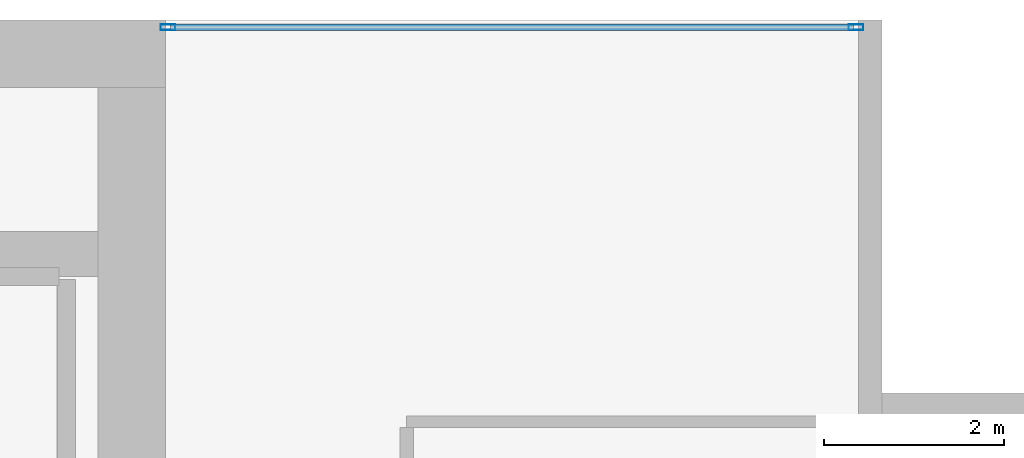
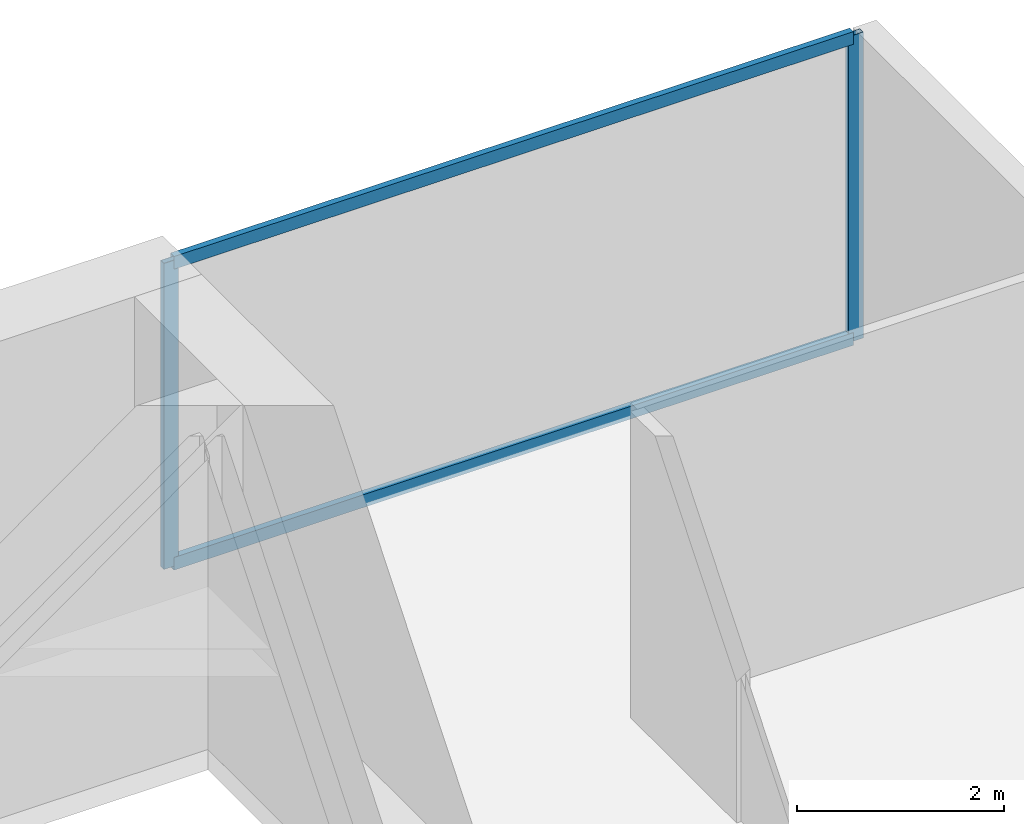
# One storey, part 25 of 33: 4 members, 1 element without a shape of its own.
"""IFC4 building model written with IfcOpenShell, lengths in metres."""

from ifc_helpers import new_model, si_unit, direction, frame, origin, origin_2d, place, context, subcontext, project, spatial, hollow_rectangle, extrude, material, layer, layer_set, material_profile, profile_set, type_object, element, aggregate, save


model = new_model("IFC4")

# Units and contexts
model_context = context("Model", 3, precision=1e-05, world=origin(), true_north=direction((0.0, 1.0)))
body_context = subcontext(model_context, "Body", "Model", "MODEL_VIEW")
ifc_project = project(units=[si_unit("LENGTHUNIT", "METRE"), si_unit("AREAUNIT", "SQUARE_METRE"), si_unit("VOLUMEUNIT", "CUBIC_METRE"), si_unit("PLANEANGLEUNIT", "RADIAN"), si_unit("MASSUNIT", "GRAM", prefix="KILO")], contexts=[model_context])

# Site, building, storey
site_placement = place(None, origin())
site = spatial("IfcSite", under=ifc_project, at=site_placement, CompositionType="ELEMENT")
building_placement = place(site_placement, origin())
building = spatial("IfcBuilding", under=site, at=building_placement, Name="Maruvema Waterfront Hotel and Observation Tower", CompositionType="ELEMENT")
storey_placement = place(building_placement, frame((0.0, 0.0, 150.5)))
storey = spatial("IfcBuildingStorey", under=building, at=storey_placement, Name="L36", CompositionType="ELEMENT", Elevation=150.5)

# Curtain wall, members
ifc_material_1 = material(Name="Anodised bronze aluminium and solar-control low-E IGU", Category="aluminium")
ifc_layer = layer(ifc_material_1, 0.159912109375, Name="Zone 2 Amber Inner Thermal Curtain Wall System CW-03")
ifc_layer_set = layer_set([ifc_layer], Name="Anodised bronze aluminium and solar-control low-E IGU")
curtain_wall_type = type_object("IfcCurtainWallType", Name="Zone 2 Amber Inner Thermal Curtain Wall System CW-03", PredefinedType="USERDEFINED", material=ifc_layer_set)
curtain_wall_placement = place(storey_placement, origin())
curtain_wall = element("IfcCurtainWall", 1, at=curtain_wall_placement, inside=storey, type_object=curtain_wall_type, Name="L36 Curtain Wall CW-L36-NE", ObjectType="UNITISED CURTAIN WALL", PredefinedType="USERDEFINED")
ifc_material_2 = material(Name="Anodised architectural bronze aluminium", Category="aluminium")
ifc_material_profile_1 = material_profile(ifc_material_2, hollow_rectangle(XDim=0.070068359375, YDim=0.14990234375, WallThickness=0.00390625, at=origin_2d()), Name="ALU-T70x150")
ifc_profile_set_1 = profile_set([ifc_material_profile_1], Name="Anodised architectural bronze aluminium")
member_type_1 = type_object("IfcMemberType", Name="Curtain Wall Horizontal Transom ALU-T70x150", PredefinedType="USERDEFINED", material=ifc_profile_set_1)
member_1_placement = place(storey_placement, frame((58.0400390625, 53.919921875, 0.030029296875), z_axis=(-1.0, 0.0, 0.0), x_axis=(0.0, -1.0, 0.0)))
member_1 = element("IfcMember", 2, at=member_1_placement, type_object=member_type_1, Name="CW-03 transom 1.1", ObjectType="TRANSOM", PredefinedType="USERDEFINED", context=body_context, shape_type="SweptSolid", body=[
    extrude(hollow_rectangle(XDim=0.070068359375, YDim=0.14990234375, WallThickness=0.00390625, at=origin_2d()), origin(), (0.0, 0.0, 1.0), 7.580078125),
])
member_2_placement = place(storey_placement, frame((58.0400390625, 53.919921875, 3.580078125), z_axis=(-1.0, 0.0, 0.0), x_axis=(0.0, -1.0, 0.0)))
member_2 = element("IfcMember", 3, at=member_2_placement, type_object=member_type_1, Name="CW-03 transom 1.2", ObjectType="TRANSOM", PredefinedType="USERDEFINED", context=body_context, shape_type="SweptSolid", body=[
    extrude(hollow_rectangle(XDim=0.070068359375, YDim=0.14990234375, WallThickness=0.00390625, at=origin_2d()), origin(), (0.0, 0.0, 1.0), 7.580078125),
])
ifc_material_3 = material(Name="Anodised architectural bronze aluminium", Category="aluminium")
ifc_material_profile_2 = material_profile(ifc_material_3, hollow_rectangle(XDim=0.06494140625, YDim=0.1650390625, WallThickness=0.00390625, at=origin_2d()), Name="ALU-M65x165")
ifc_profile_set_2 = profile_set([ifc_material_profile_2], Name="Anodised architectural bronze aluminium")
member_type_2 = type_object("IfcMemberType", Name="Curtain Wall Primary Mullion ALU-M65x165", PredefinedType="MULLION", material=ifc_profile_set_2)
member_3_placement = place(storey_placement, frame((58.070068359375, 53.919921875, 0.0), z_axis=(0.0, 0.0, 1.0), x_axis=(0.0, -1.0, 0.0)))
member_3 = element("IfcMember", 4, at=member_3_placement, type_object=member_type_2, Name="CW-03 mullion 1", PredefinedType="MULLION", context=body_context, shape_type="SweptSolid", body=[
    extrude(hollow_rectangle(XDim=0.06494140625, YDim=0.1650390625, WallThickness=0.00390625, at=origin_2d()), origin(), (0.0, 0.0, 1.0), 3.610107421875),
])
member_4_placement = place(storey_placement, frame((50.429931640625, 53.919921875, 0.0), z_axis=(0.0, 0.0, 1.0), x_axis=(0.0, -1.0, 0.0)))
member_4 = element("IfcMember", 5, at=member_4_placement, type_object=member_type_2, Name="CW-03 mullion 2", PredefinedType="MULLION", context=body_context, shape_type="SweptSolid", body=[
    extrude(hollow_rectangle(XDim=0.06494140625, YDim=0.1650390625, WallThickness=0.00390625, at=origin_2d()), origin(), (0.0, 0.0, 1.0), 3.610107421875),
])
aggregate(curtain_wall, [member_3, member_4, member_1, member_2])

save(model, "model.ifc")
